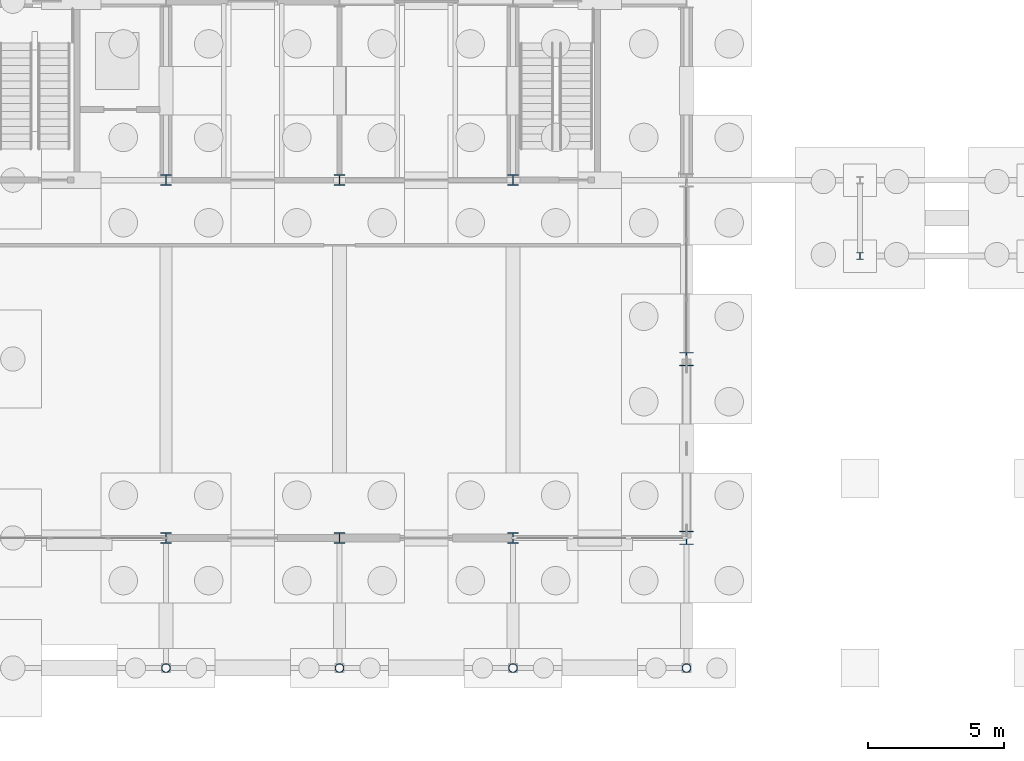
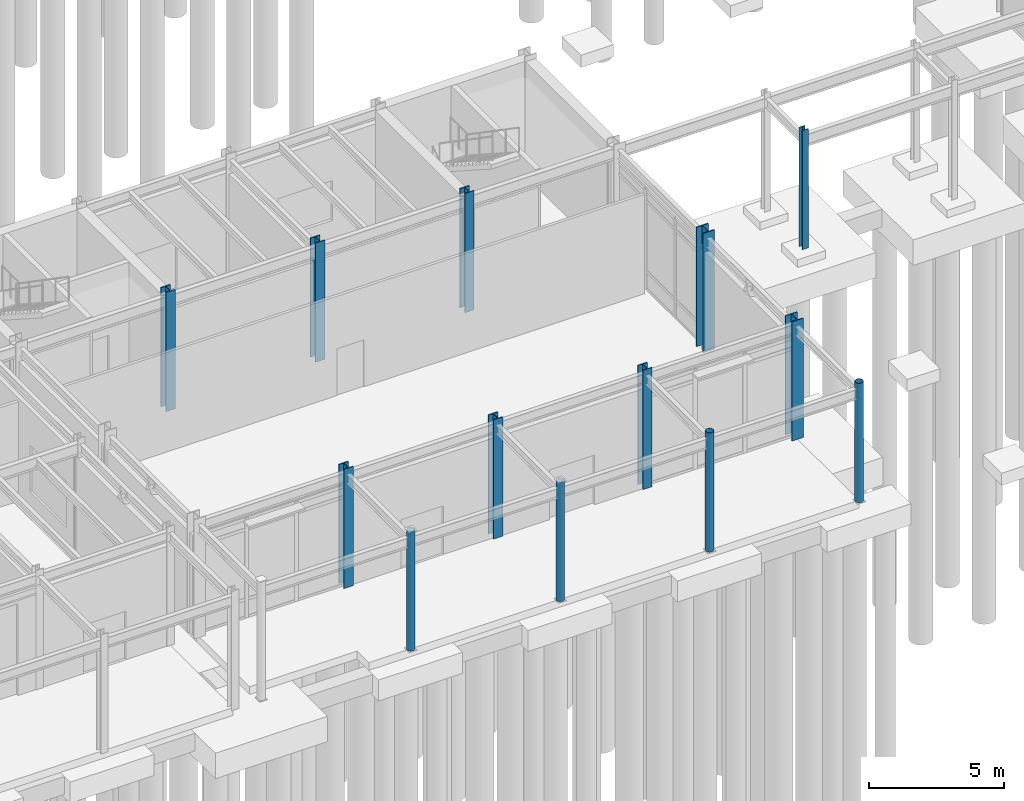
# One storey, part 13 of 82: 13 columns.
"""IFC4 building model written with IfcOpenShell, lengths in metres."""

from ifc_helpers import new_model, si_unit, direction, frame, origin, origin_2d, place, context, subcontext, project, spatial, hollow_circle, i_section, extrude, material, material_profile, profile_set, type_object, element, save


model = new_model("IFC4")

# Units and contexts
model_context = context("Model", 3, precision=1e-05, world=origin(), true_north=direction((0.0, 1.0)))
body_context = subcontext(model_context, "Body", "Model", "MODEL_VIEW")
ifc_project = project(units=[si_unit("LENGTHUNIT", "METRE"), si_unit("AREAUNIT", "SQUARE_METRE"), si_unit("VOLUMEUNIT", "CUBIC_METRE"), si_unit("PLANEANGLEUNIT", "RADIAN"), si_unit("MASSUNIT", "GRAM", prefix="KILO")], contexts=[model_context])

# Site, building, storey
site_placement = place(None, origin())
site = spatial("IfcSite", under=ifc_project, at=site_placement, CompositionType="ELEMENT")
building_placement = place(site_placement, origin())
building = spatial("IfcBuilding", under=site, at=building_placement, Name="Trelmorton Wharf Fire Station", CompositionType="ELEMENT")
storey_placement = place(building_placement, origin())
storey = spatial("IfcBuildingStorey", under=building, at=storey_placement, Name="L00", CompositionType="ELEMENT", Elevation=0.0)

# Columns
ifc_material_1 = material(Name="Steel Grade 350", Category="steel")
ifc_material_profile_1 = material_profile(ifc_material_1, i_section(OverallWidth=0.25390625, OverallDepth=0.25390625, WebThickness=0.008544921875, FlangeThickness=0.01416015625, FilletRadius=0.0126953125, at=origin_2d()), Name="250UC72.9")
ifc_profile_set_1 = profile_set([ifc_material_profile_1], Name="Steel Grade 350")
column_type_1 = type_object("IfcColumnType", Name="COL_250UC73", PredefinedType="COLUMN", material=ifc_profile_set_1)
column_placement = place(storey_placement, frame((90.0, 18.199951171875, 0.0), z_axis=(0.0, 0.0, 1.0), x_axis=(1.0, 0.0, 0.0)))
element("IfcColumn", 1, at=column_placement, inside=storey, type_object=column_type_1, Name="COL-L00-0135", PredefinedType="COLUMN", context=body_context, shape_type="SweptSolid", body=[
    extrude(i_section(OverallWidth=0.25390625, OverallDepth=0.25390625, WebThickness=0.008544921875, FlangeThickness=0.01416015625, FilletRadius=0.0126953125, at=origin_2d()), origin(), (0.0, 0.0, 1.0), 5.39990234375),
])
ifc_material_profile_2 = material_profile(ifc_material_1, i_section(OverallWidth=0.39990234375, OverallDepth=0.39990234375, WebThickness=0.02001953125, FlangeThickness=0.031982421875, at=origin_2d()), Name="400WC270")
ifc_profile_set_2 = profile_set([ifc_material_profile_2], Name="Steel Grade 350")
column_type_2 = type_object("IfcColumnType", Name="COL_400WC270", PredefinedType="COLUMN", material=ifc_profile_set_2)
for number, where, z_axis, x_axis, name in (
    (2, (64.39990234375, 7.800048828125, 0.0), (0.0, 0.0, 1.0), (1.0, 0.0, 0.0), "COL-L00-0104"),
    (3, (64.39990234375, 21.0, 0.0), (0.0, 0.0, 1.0), (1.0, 0.0, 0.0), "COL-L00-0105"),
    (4, (70.800048828125, 7.800048828125, 0.0), (0.0, 0.0, 1.0), (1.0, 0.0, 0.0), "COL-L00-0108"),
    (5, (70.800048828125, 21.0, 0.0), (0.0, 0.0, 1.0), (1.0, 0.0, 0.0), "COL-L00-0109"),
    (6, (77.199951171875, 7.800048828125, 0.0), (0.0, 0.0, 1.0), (1.0, 0.0, 0.0), "COL-L00-0117"),
    (7, (77.199951171875, 21.0, 0.0), (0.0, 0.0, 1.0), (1.0, 0.0, 0.0), "COL-L00-0118"),
):
    element("IfcColumn", number, at=place(storey_placement, frame(where, z_axis=z_axis, x_axis=x_axis)), inside=storey, type_object=column_type_2, Name=name, PredefinedType="COLUMN", context=body_context, shape_type="SweptSolid", body=[
        extrude(i_section(OverallWidth=0.39990234375, OverallDepth=0.39990234375, WebThickness=0.02001953125, FlangeThickness=0.031982421875, at=origin_2d()), origin(), (0.0, 0.0, 1.0), 5.39990234375),
    ])
ifc_material_profile_3 = material_profile(ifc_material_1, i_section(OverallWidth=0.5, OverallDepth=0.5, WebThickness=0.02001953125, FlangeThickness=0.035888671875, at=origin_2d()), Name="500WC340")
ifc_profile_set_3 = profile_set([ifc_material_profile_3], Name="Steel Grade 350")
column_type_3 = type_object("IfcColumnType", Name="COL_500WC340", PredefinedType="COLUMN", material=ifc_profile_set_3)
for number, where, z_axis, x_axis, name in (
    (8, (83.60009765625, 7.800048828125, 0.0), (0.0, 0.0, 1.0), (1.0, 0.0, 0.0), "COL-L00-0126"),
    (9, (83.60009765625, 14.39990234375, 0.0), (0.0, 0.0, 1.0), (1.0, 0.0, 0.0), "COL-L00-0127"),
):
    element("IfcColumn", number, at=place(storey_placement, frame(where, z_axis=z_axis, x_axis=x_axis)), inside=storey, type_object=column_type_3, Name=name, PredefinedType="COLUMN", context=body_context, shape_type="SweptSolid", body=[
        extrude(i_section(OverallWidth=0.5, OverallDepth=0.5, WebThickness=0.02001953125, FlangeThickness=0.035888671875, at=origin_2d()), origin(), (0.0, 0.0, 1.0), 5.39990234375),
    ])
ifc_material_2 = material(Name="Steel C450L0 (450 MPa)", Category="steel")
ifc_material_profile_4 = material_profile(ifc_material_2, hollow_circle(Radius=0.161865234375, WallThickness=0.0126953125, at=origin_2d()), Name="323.9x12.7CHS")
ifc_profile_set_4 = profile_set([ifc_material_profile_4], Name="Steel C450L0 (450 MPa)")
column_type_4 = type_object("IfcColumnType", Name="COL_CHS324", PredefinedType="COLUMN", material=ifc_profile_set_4)
for number, where, z_axis, x_axis, name in (
    (10, (64.39990234375, 3.0, 0.0), (0.0, 0.0, 1.0), (1.0, 0.0, 0.0), "COL-L00-0103"),
    (11, (70.800048828125, 3.0, 0.0), (0.0, 0.0, 1.0), (1.0, 0.0, 0.0), "COL-L00-0107"),
    (12, (77.199951171875, 3.0, 0.0), (0.0, 0.0, 1.0), (1.0, 0.0, 0.0), "COL-L00-0116"),
    (13, (83.60009765625, 3.0, 0.0), (0.0, 0.0, 1.0), (1.0, 0.0, 0.0), "COL-L00-0125"),
):
    element("IfcColumn", number, at=place(storey_placement, frame(where, z_axis=z_axis, x_axis=x_axis)), inside=storey, type_object=column_type_4, Name=name, PredefinedType="COLUMN", context=body_context, shape_type="SweptSolid", body=[
        extrude(hollow_circle(Radius=0.161865234375, WallThickness=0.0126953125, at=origin_2d()), origin(), (0.0, 0.0, 1.0), 5.39990234375),
    ])

save(model, "model.ifc")
